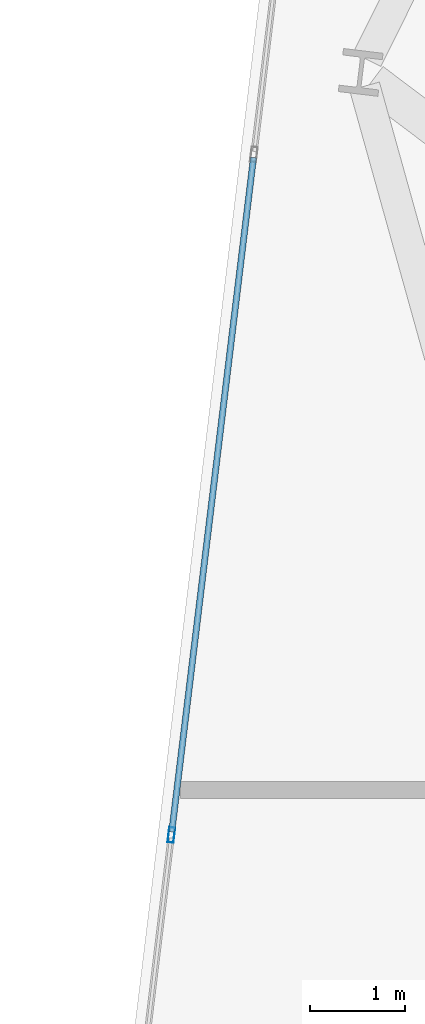
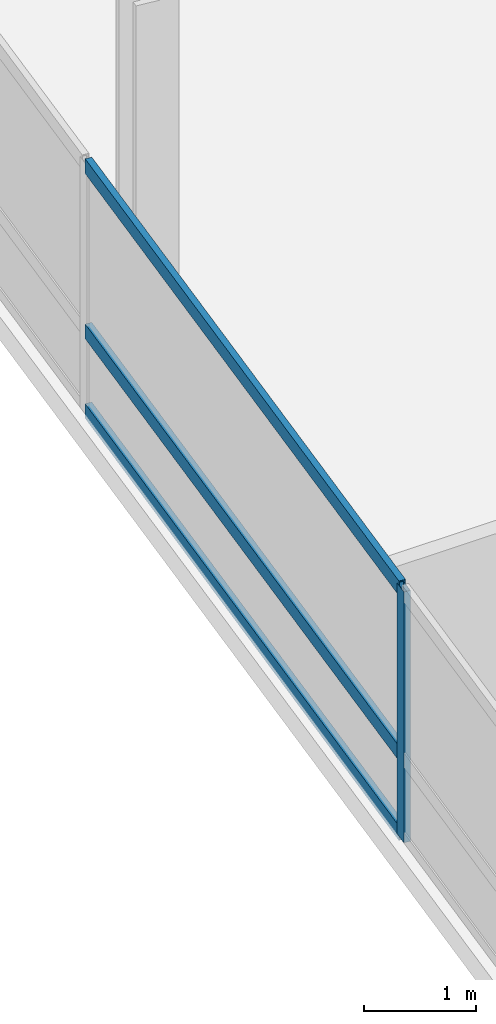
# One storey, part 6 of 26: 4 members, 1 element without a shape of its own.
"""IFC4 building model written with IfcOpenShell, lengths in metres."""

from ifc_helpers import new_model, si_unit, direction, frame, origin, origin_2d, place, context, subcontext, project, spatial, hollow_rectangle, extrude, material, layer, layer_set, material_profile, profile_set, type_object, element, aggregate, save


model = new_model("IFC4")

# Units and contexts
model_context = context("Model", 3, precision=1e-05, world=origin(), true_north=direction((0.0, 1.0)))
body_context = subcontext(model_context, "Body", "Model", "MODEL_VIEW")
ifc_project = project(units=[si_unit("LENGTHUNIT", "METRE"), si_unit("AREAUNIT", "SQUARE_METRE"), si_unit("VOLUMEUNIT", "CUBIC_METRE"), si_unit("PLANEANGLEUNIT", "RADIAN"), si_unit("MASSUNIT", "GRAM", prefix="KILO")], contexts=[model_context])

# Site, building, storey
site_placement = place(None, origin())
site = spatial("IfcSite", under=ifc_project, at=site_placement, CompositionType="ELEMENT")
building_placement = place(site_placement, origin())
building = spatial("IfcBuilding", under=site, at=building_placement, Name="Varnelok Gate Tower", CompositionType="ELEMENT")
storey_placement = place(building_placement, frame((0.0, 0.0, 147.60009765625)))
storey = spatial("IfcBuildingStorey", under=building, at=storey_placement, Name="L37", CompositionType="ELEMENT", Elevation=147.60009765625)

# Curtain wall, members
ifc_material = material(Name="Anodized Aluminum Alloy 6063-T6", Category="aluminium")
ifc_layer = layer(ifc_material, 0.179931640625)
ifc_layer_set = layer_set([ifc_layer], Name="Anodized Aluminum Alloy 6063-T6")
curtain_wall_type = type_object("IfcCurtainWallType", Name="CW3-HOTEL-VISION", PredefinedType="USERDEFINED", material=ifc_layer_set)
curtain_wall_placement = place(storey_placement, origin())
curtain_wall = element("IfcCurtainWall", 1, at=curtain_wall_placement, inside=storey, type_object=curtain_wall_type, Name="L37 West End Vision Curtain Wall", ObjectType="UNITISED CURTAIN WALL", PredefinedType="USERDEFINED")
ifc_material_profile_1 = material_profile(ifc_material, hollow_rectangle(XDim=0.06494140625, YDim=0.159912109375, WallThickness=0.00390625, at=origin_2d()), Name="ALU160X65X4")
ifc_profile_set_1 = profile_set([ifc_material_profile_1], Name="Anodized Aluminum Alloy 6063-T6")
member_type_1 = type_object("IfcMemberType", Name="CW-MULL-160", PredefinedType="MULLION", material=ifc_profile_set_1)
member_1_placement = place(storey_placement, frame((1.97607421875, 26.186279296875, 0.0), z_axis=(0.0, 0.0, 1.0), x_axis=(-0.99273188146, 0.120347046212, 0.0)))
member_1 = element("IfcMember", 2, at=member_1_placement, type_object=member_type_1, Name="CW3 mullion 3", PredefinedType="MULLION", context=body_context, shape_type="SweptSolid", body=[
    extrude(hollow_rectangle(XDim=0.06494140625, YDim=0.159912109375, WallThickness=0.00390625, at=origin_2d()), origin(), (0.0, 0.0, 1.0), 2.72998046875),
])
ifc_material_profile_2 = material_profile(ifc_material, hollow_rectangle(XDim=0.06494140625, YDim=0.159912109375, WallThickness=0.00390625, at=origin_2d()), Name="ALU160X65X4")
ifc_profile_set_2 = profile_set([ifc_material_profile_2], Name="Anodized Aluminum Alloy 6063-T6")
member_type_2 = type_object("IfcMemberType", Name="CW-TRAN-160", PredefinedType="USERDEFINED", material=ifc_profile_set_2)
member_2_placement = place(storey_placement, frame((1.97998046875, 26.218505859375, 0.032470703125), z_axis=(0.120344652138, 0.992732171687, 0.0), x_axis=(-0.992732171687, 0.120344652138, 0.0)))
member_2 = element("IfcMember", 3, at=member_2_placement, type_object=member_type_2, Name="CW3 transom 3.1", ObjectType="TRANSOM", PredefinedType="USERDEFINED", context=body_context, shape_type="SweptSolid", body=[
    extrude(hollow_rectangle(XDim=0.06494140625, YDim=0.159912109375, WallThickness=0.00390625, at=origin_2d()), origin(), (0.0, 0.0, 1.0), 7.134765625),
])
member_3_placement = place(storey_placement, frame((1.97998046875, 26.218505859375, 0.89990234375), z_axis=(0.120344652138, 0.992732171687, 0.0), x_axis=(-0.992732171687, 0.120344652138, 0.0)))
member_3 = element("IfcMember", 4, at=member_3_placement, type_object=member_type_2, Name="CW3 transom 3.2", ObjectType="TRANSOM", PredefinedType="USERDEFINED", context=body_context, shape_type="SweptSolid", body=[
    extrude(hollow_rectangle(XDim=0.06494140625, YDim=0.159912109375, WallThickness=0.00390625, at=origin_2d()), origin(), (0.0, 0.0, 1.0), 7.134765625),
])
member_4_placement = place(storey_placement, frame((1.97998046875, 26.218505859375, 2.697509765625), z_axis=(0.120344652138, 0.992732171687, 0.0), x_axis=(-0.992732171687, 0.120344652138, 0.0)))
member_4 = element("IfcMember", 5, at=member_4_placement, type_object=member_type_2, Name="CW3 transom 3.3", ObjectType="TRANSOM", PredefinedType="USERDEFINED", context=body_context, shape_type="SweptSolid", body=[
    extrude(hollow_rectangle(XDim=0.06494140625, YDim=0.159912109375, WallThickness=0.00390625, at=origin_2d()), origin(), (0.0, 0.0, 1.0), 7.134765625),
])
aggregate(curtain_wall, [member_1, member_2, member_3, member_4])

save(model, "model.ifc")
